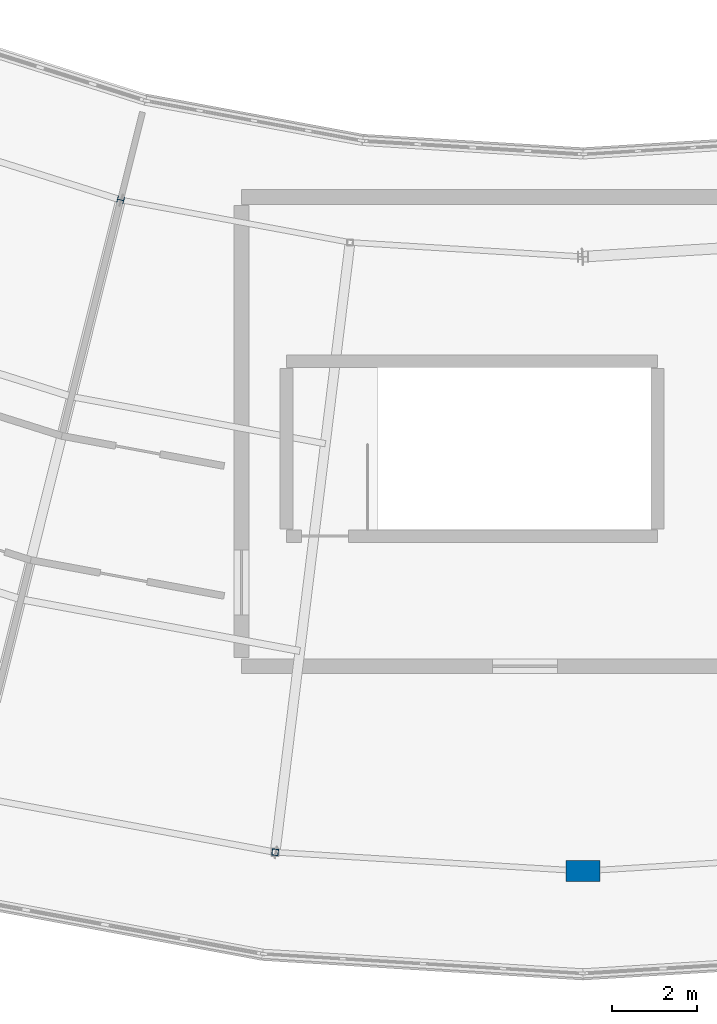
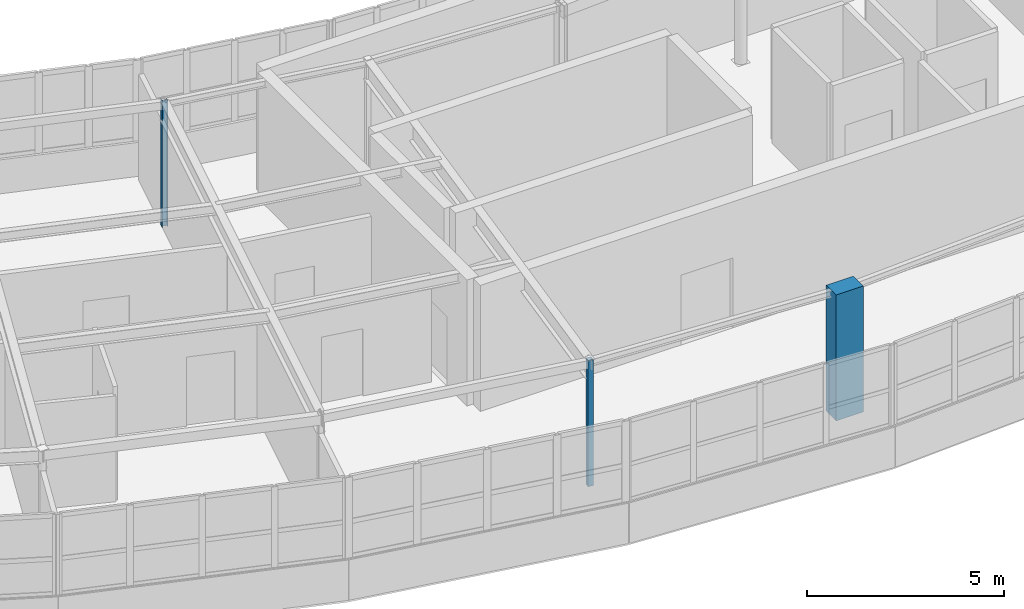
# One storey, part 3 of 60: 3 columns.
"""IFC4 building model written with IfcOpenShell, lengths in metres."""

from ifc_helpers import new_model, si_unit, direction, frame, origin, origin_2d, place, context, subcontext, project, spatial, rectangle, hollow_rectangle, i_section, extrude, material, material_profile, profile_set, type_object, element, save


model = new_model("IFC4")

# Units and contexts
model_context = context("Model", 3, precision=1e-05, world=origin(), true_north=direction((0.0, 1.0)))
body_context = subcontext(model_context, "Body", "Model", "MODEL_VIEW")
ifc_project = project(units=[si_unit("LENGTHUNIT", "METRE"), si_unit("AREAUNIT", "SQUARE_METRE"), si_unit("VOLUMEUNIT", "CUBIC_METRE"), si_unit("PLANEANGLEUNIT", "RADIAN"), si_unit("MASSUNIT", "GRAM", prefix="KILO")], contexts=[model_context])

# Site, building, storey
site_placement = place(None, origin())
site = spatial("IfcSite", under=ifc_project, at=site_placement, CompositionType="ELEMENT")
building_placement = place(site_placement, origin())
building = spatial("IfcBuilding", under=site, at=building_placement, Name="Tarnwether General Hospital", CompositionType="ELEMENT")
storey_placement = place(building_placement, frame((0.0, 0.0, 26.10009765625)))
storey = spatial("IfcBuildingStorey", under=building, at=storey_placement, Name="L06", CompositionType="ELEMENT", Elevation=26.10009765625)

# Columns
ifc_material_1 = material(Name="Concrete 50 MPa", Category="concrete")
ifc_material_profile_1 = material_profile(ifc_material_1, rectangle(XDim=0.5, YDim=0.800048828125, at=origin_2d()), Name="RC-PIL-500x800")
ifc_profile_set_1 = profile_set([ifc_material_profile_1], Name="Concrete 50 MPa")
column_type_1 = type_object("IfcColumnType", Name="COL-23", PredefinedType="PILASTER", material=ifc_profile_set_1)
column_1_placement = place(storey_placement, frame((92.0, 3.800048828125, 0.0), z_axis=(0.0, 0.0, 1.0), x_axis=(0.0, 1.0, 0.0)))
element("IfcColumn", 1, at=column_1_placement, inside=storey, type_object=column_type_1, Name="Column COLG-L06-9200_380", PredefinedType="PILASTER", context=body_context, shape_type="SweptSolid", body=[
    extrude(rectangle(XDim=0.5, YDim=0.800048828125, at=origin_2d()), origin(), (0.0, 0.0, 1.0), 3.89990234375),
])
ifc_material_2 = material(Name="Steel Grade 350 (350 MPa)", Category="steel")
ifc_material_profile_2 = material_profile(ifc_material_2, i_section(OverallWidth=0.152099609375, OverallDepth=0.152099609375, WebThickness=0.006103515625, FlangeThickness=0.0068359375, at=origin_2d()), Name="150UC23.4")
ifc_profile_set_2 = profile_set([ifc_material_profile_2], Name="Steel Grade 350 (350 MPa)")
column_type_2 = type_object("IfcColumnType", Name="COL-32", PredefinedType="COLUMN", material=ifc_profile_set_2)
column_2_placement = place(storey_placement, frame((81.162109375, 19.531005859375, 0.0), z_axis=(0.0, 0.0, 1.0), x_axis=(0.2419218956, 0.970295726276, 0.0)))
element("IfcColumn", 2, at=column_2_placement, inside=storey, type_object=column_type_2, Name="Column COLG-L06-8116_1953", PredefinedType="COLUMN", context=body_context, shape_type="SweptSolid", body=[
    extrude(i_section(OverallWidth=0.152099609375, OverallDepth=0.152099609375, WebThickness=0.006103515625, FlangeThickness=0.0068359375, at=origin_2d()), origin(), (0.0, 0.0, 1.0), 3.89990234375),
])
ifc_material_3 = material(Name="Steel Grade C350L0 (350 MPa)", Category="steel")
ifc_material_profile_3 = material_profile(ifc_material_3, hollow_rectangle(XDim=0.14990234375, YDim=0.14990234375, WallThickness=0.008056640625, at=origin_2d()), Name="SHS150x150x8")
ifc_profile_set_3 = profile_set([ifc_material_profile_3], Name="Steel Grade C350L0 (350 MPa)")
column_type_3 = type_object("IfcColumnType", Name="COL-33", PredefinedType="COLUMN", material=ifc_profile_set_3)
column_3_placement = place(storey_placement, frame((84.784912109375, 4.240966796875, 0.0), z_axis=(0.0, 0.0, 1.0), x_axis=(0.121869343405, 0.992546151641, 0.0)))
element("IfcColumn", 3, at=column_3_placement, inside=storey, type_object=column_type_3, Name="Column COLG-L06-8478_424", PredefinedType="COLUMN", context=body_context, shape_type="SweptSolid", body=[
    extrude(hollow_rectangle(XDim=0.14990234375, YDim=0.14990234375, WallThickness=0.008056640625, at=origin_2d()), origin(), (0.0, 0.0, 1.0), 3.89990234375),
])

save(model, "model.ifc")
